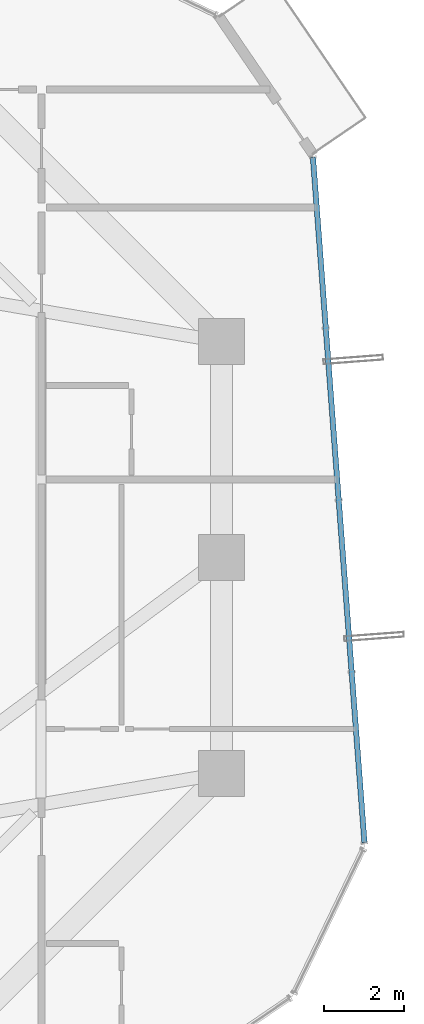
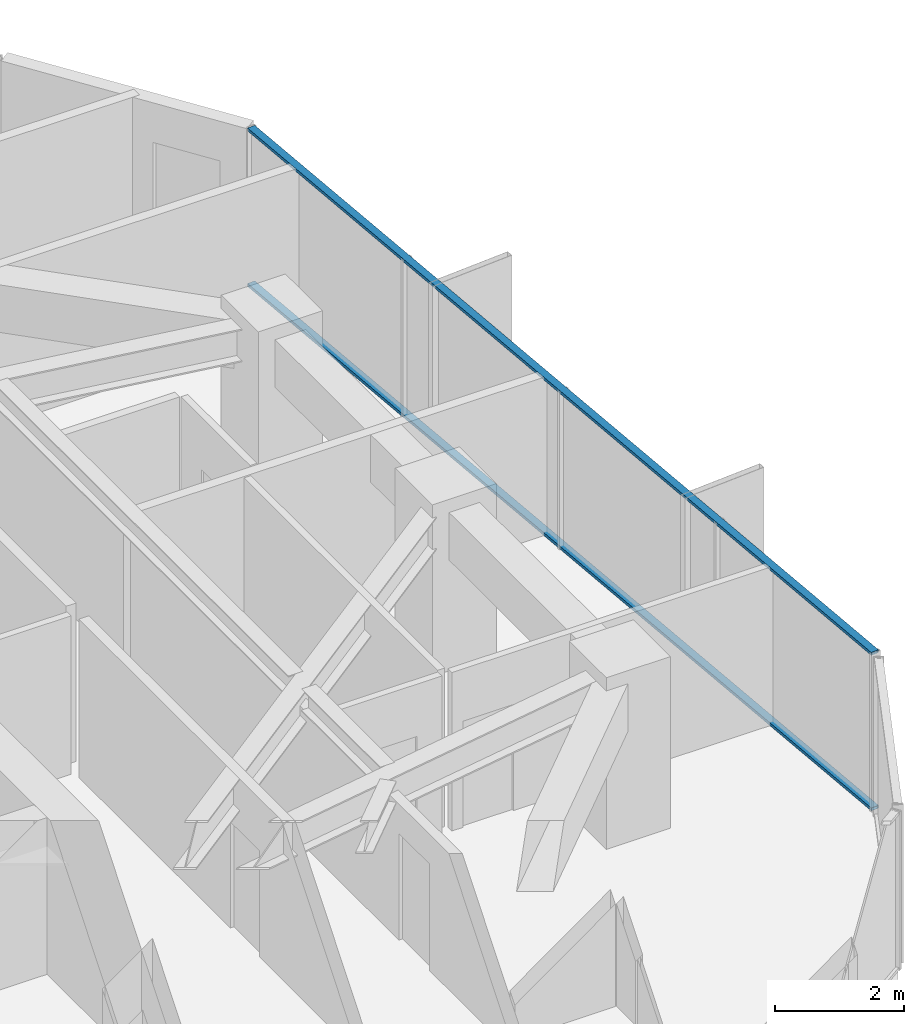
# One storey, part 18 of 35: 2 members, 1 element without a shape of its own.
"""IFC4 building model written with IfcOpenShell, lengths in metres."""

from ifc_helpers import new_model, si_unit, direction, frame, origin, origin_2d, place, context, subcontext, project, spatial, hollow_rectangle, extrude, source, transform, mapped, material, layer, layer_set, material_profile, profile_set, type_object, element, aggregate, save


model = new_model("IFC4")

# Units and contexts
model_context = context("Model", 3, precision=1e-05, world=origin(), true_north=direction((0.0, 1.0)))
body_context = subcontext(model_context, "Body", "Model", "MODEL_VIEW")
ifc_project = project(units=[si_unit("LENGTHUNIT", "METRE"), si_unit("AREAUNIT", "SQUARE_METRE"), si_unit("VOLUMEUNIT", "CUBIC_METRE"), si_unit("PLANEANGLEUNIT", "RADIAN"), si_unit("MASSUNIT", "GRAM", prefix="KILO")], contexts=[model_context])

# Site, building, storey
site_placement = place(None, origin())
site = spatial("IfcSite", under=ifc_project, at=site_placement, CompositionType="ELEMENT")
building_placement = place(site_placement, origin())
building = spatial("IfcBuilding", under=site, at=building_placement, Name="Veraguas Prism Commons", CompositionType="ELEMENT")
storey_placement = place(building_placement, frame((0.0, 0.0, 142.5)))
storey = spatial("IfcBuildingStorey", under=building, at=storey_placement, Name="L40", CompositionType="ELEMENT", Elevation=142.5)

# Curtain wall, members
ifc_material = material(Name="Anodised aluminium EN AW-6063 T6", Category="aluminium")
ifc_layer = layer(ifc_material, 0.169921875, Name="Unitised Flush Curtain Wall Zone 2", Category="aluminium")
ifc_layer_set = layer_set([ifc_layer], Name="Anodised aluminium EN AW-6063 T6")
curtain_wall_type = type_object("IfcCurtainWallType", Name="Unitised Flush Curtain Wall Zone 2", PredefinedType="NOTDEFINED", material=ifc_layer_set)
curtain_wall_placement = place(storey_placement, origin())
curtain_wall = element("IfcCurtainWall", 1, at=curtain_wall_placement, inside=storey, type_object=curtain_wall_type, Name="Tower Facade Curtain Wall L40-F6", PredefinedType="NOTDEFINED")
ifc_material_profile = material_profile(ifc_material, hollow_rectangle(XDim=0.054931640625, YDim=0.135009765625, WallThickness=0.0029296875, at=origin_2d()), Name="AL55X135X3")
ifc_profile_set = profile_set([ifc_material_profile], Name="Anodised aluminium EN AW-6063 T6")
member_type = type_object("IfcMemberType", Name="Curtain Wall Transom Standard AL 55x135x3", PredefinedType="USERDEFINED", material=ifc_profile_set)
shared_shape = source(origin(), body_context, "Body", "SweptSolid", [
    extrude(hollow_rectangle(XDim=0.054931640625, YDim=0.135009765625, WallThickness=0.0029296875, at=origin_2d()), origin(), (0.0, 0.0, 1.0), 17.17431640625),
])
member_1_placement = place(storey_placement, frame((43.7724609375, 16.875244140625, 0.027587890625), z_axis=(-0.074986436127, 0.99718455383, 0.0), x_axis=(0.0, 0.0, 1.0)))
member_1 = element("IfcMember", 2, at=member_1_placement, type_object=member_type, Name="CW-Z2 Transom 1", ObjectType="TRANSOM", PredefinedType="USERDEFINED", context=body_context, shape_type="MappedRepresentation", body=[
    mapped(shared_shape, transform((0.0, 0.0, 0.0), scale=1.0)),
])
member_2_placement = place(storey_placement, frame((43.7724609375, 16.875244140625, 2.972412109375), z_axis=(-0.074986436127, 0.99718455383, 0.0), x_axis=(0.0, 0.0, 1.0)))
member_2 = element("IfcMember", 3, at=member_2_placement, type_object=member_type, Name="CW-Z2 Transom 2", ObjectType="TRANSOM", PredefinedType="USERDEFINED", context=body_context, shape_type="MappedRepresentation", body=[
    mapped(shared_shape, transform((0.0, 0.0, 0.0), scale=1.0)),
])
aggregate(curtain_wall, [member_1, member_2])

save(model, "model.ifc")
